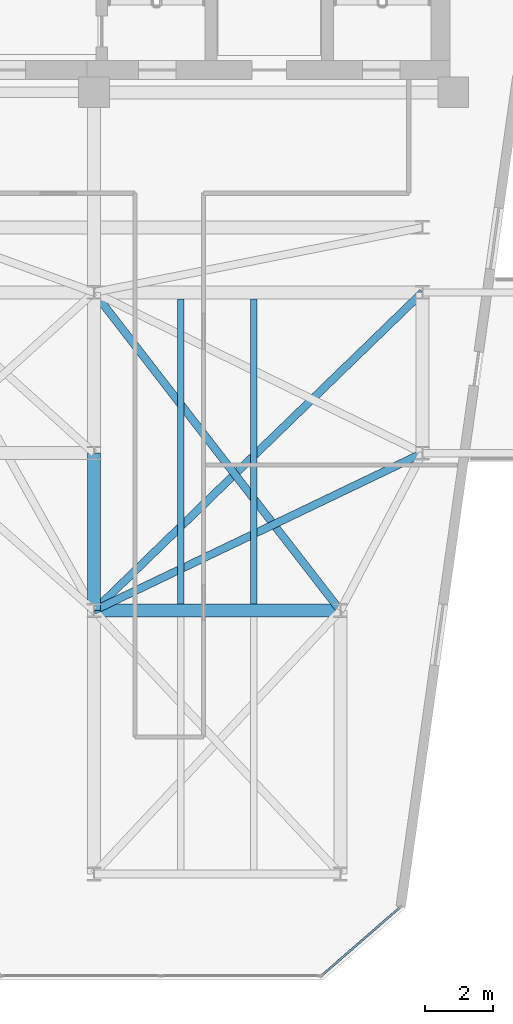
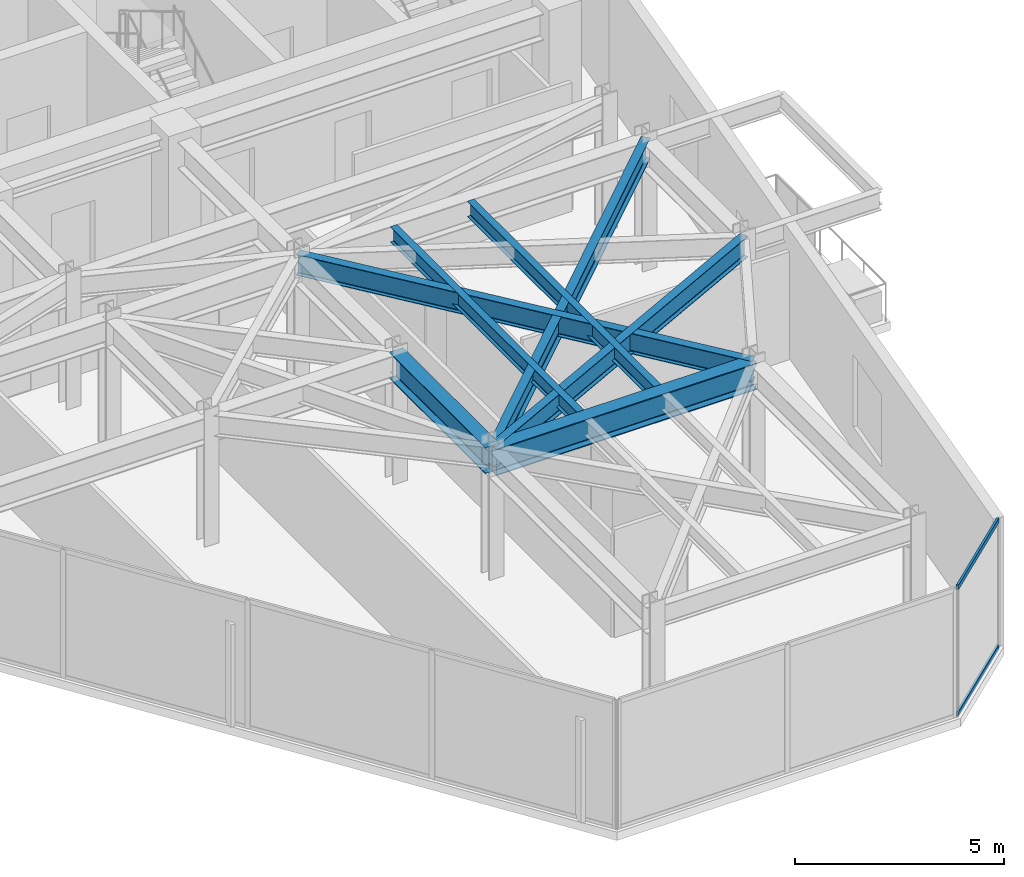
# One storey, part 13 of 21: 7 beams, 2 members, 1 element without a shape of its own.
"""IFC4 building model written with IfcOpenShell, lengths in metres."""

from ifc_helpers import new_model, si_unit, direction, frame, origin, origin_2d, place, context, subcontext, project, spatial, hollow_rectangle, i_section, extrude, material, layer, layer_set, material_profile, profile_set, type_object, element, aggregate, save


model = new_model("IFC4")

# Units and contexts
model_context = context("Model", 3, precision=1e-05, world=origin(), true_north=direction((0.0, 1.0)))
body_context = subcontext(model_context, "Body", "Model", "MODEL_VIEW")
ifc_project = project(units=[si_unit("LENGTHUNIT", "METRE"), si_unit("AREAUNIT", "SQUARE_METRE"), si_unit("VOLUMEUNIT", "CUBIC_METRE"), si_unit("PLANEANGLEUNIT", "RADIAN"), si_unit("MASSUNIT", "GRAM", prefix="KILO")], contexts=[model_context])

# Site, building, storey
site_placement = place(None, origin())
site = spatial("IfcSite", under=ifc_project, at=site_placement, CompositionType="ELEMENT")
building_placement = place(site_placement, origin())
building = spatial("IfcBuilding", under=site, at=building_placement, Name="Kravanh Interchange Tower", CompositionType="ELEMENT")
storey_placement = place(building_placement, frame((0.0, 0.0, 200.5)))
storey = spatial("IfcBuildingStorey", under=building, at=storey_placement, Name="L48", CompositionType="ELEMENT", Elevation=200.5)

# Curtain wall, members
ifc_material_1 = material(Name="Anodised Bronze Aluminium", Category="aluminium")
ifc_layer = layer(ifc_material_1, 0.179931640625)
ifc_layer_set = layer_set([ifc_layer], Name="Unitised Curtain Wall System CW-Z3 Upper Office")
curtain_wall_type = type_object("IfcCurtainWallType", Name="Unitised Curtain Wall System CW-Z3 Upper Office", PredefinedType="NOTDEFINED", material=ifc_layer_set)
curtain_wall_placement = place(storey_placement, origin())
curtain_wall = element("IfcCurtainWall", 1, at=curtain_wall_placement, inside=storey, type_object=curtain_wall_type, Name="L48 Unitised Curtain Wall CW-L48-01", PredefinedType="NOTDEFINED")
ifc_material_2 = material(Name="Anodised Bronze Aluminium", Category="aluminium")
ifc_material_profile_1 = material_profile(ifc_material_2, hollow_rectangle(XDim=0.06005859375, YDim=0.139892578125, WallThickness=0.00390625, at=origin_2d()), Name="ALU60X140X4")
ifc_profile_set_1 = profile_set([ifc_material_profile_1], Name="Anodised Bronze Aluminium")
member_type = type_object("IfcMemberType", Name="Curtain Wall Transom ALU60X140X4 Bronze", PredefinedType="USERDEFINED", material=ifc_profile_set_1)
member_1_placement = place(storey_placement, frame((64.92041015625, 13.501220703125, 0.030029296875), z_axis=(-0.754744002238, -0.656019428893, 0.0), x_axis=(0.656019428893, -0.754744002238, 0.0)))
member_1 = element("IfcMember", 2, at=member_1_placement, type_object=member_type, Name="CW-Z3 transom 1.1", ObjectType="TRANSOM", PredefinedType="USERDEFINED", context=body_context, shape_type="SweptSolid", body=[
    extrude(hollow_rectangle(XDim=0.06005859375, YDim=0.139892578125, WallThickness=0.00390625, at=origin_2d()), origin(), (0.0, 0.0, 1.0), 2.960205078125),
])
member_2_placement = place(storey_placement, frame((64.92041015625, 13.501220703125, 3.72509765625), z_axis=(-0.754744002238, -0.656019428893, 0.0), x_axis=(0.656019428893, -0.754744002238, 0.0)))
member_2 = element("IfcMember", 3, at=member_2_placement, type_object=member_type, Name="CW-Z3 transom 1.2", ObjectType="TRANSOM", PredefinedType="USERDEFINED", context=body_context, shape_type="SweptSolid", body=[
    extrude(hollow_rectangle(XDim=0.06005859375, YDim=0.139892578125, WallThickness=0.00390625, at=origin_2d()), origin(), (0.0, 0.0, 1.0), 2.960205078125),
])
aggregate(curtain_wall, [member_1, member_2])

# Beams
ifc_material_3 = material(Name="Structural Steel S355", Category="steel")
ifc_material_profile_2 = material_profile(ifc_material_3, i_section(OverallWidth=0.381103515625, OverallDepth=0.77294921875, WebThickness=0.0166015625, FlangeThickness=0.027099609375, FilletRadius=0.02490234375, at=origin_2d()), Name="W30X173")
ifc_profile_set_2 = profile_set([ifc_material_profile_2], Name="Structural Steel S355")
beam_type_1 = type_object("IfcBeamType", Name="Floor Beam W30X173 Structural Steel S355", PredefinedType="BEAM", material=ifc_profile_set_2)
beam_1_placement = place(storey_placement, frame((56.0, 26.800048828125, 3.368408203125), z_axis=(0.0, -1.0, 0.0), x_axis=(1.0, 0.0, 0.0)))
element("IfcBeam", 4, at=beam_1_placement, inside=storey, type_object=beam_type_1, Name="L48 Primary Floor Girder 53", PredefinedType="BEAM", context=body_context, shape_type="SweptSolid", body=[
    extrude(i_section(OverallWidth=0.381103515625, OverallDepth=0.77294921875, WebThickness=0.0166015625, FlangeThickness=0.027099609375, FilletRadius=0.02490234375, at=origin_2d()), origin(), (0.0, 0.0, 1.0), 4.60009765625),
])
beam_2_placement = place(storey_placement, frame((56.0, 22.199951171875, 3.368408203125), z_axis=(1.0, 0.0, 0.0), x_axis=(0.0, 1.0, 0.0)))
element("IfcBeam", 5, at=beam_2_placement, inside=storey, type_object=beam_type_1, Name="L48 Primary Floor Girder 92", PredefinedType="BEAM", context=body_context, shape_type="SweptSolid", body=[
    extrude(i_section(OverallWidth=0.381103515625, OverallDepth=0.77294921875, WebThickness=0.0166015625, FlangeThickness=0.027099609375, FilletRadius=0.02490234375, at=origin_2d()), origin(), (0.0, 0.0, 1.0), 7.199951171875),
])
ifc_material_4 = material(Name="Structural Steel S355", Category="steel")
ifc_material_profile_3 = material_profile(ifc_material_4, i_section(OverallWidth=0.18994140625, OverallDepth=0.45703125, WebThickness=0.009033203125, FlangeThickness=0.014404296875, FilletRadius=0.01806640625, at=origin_2d()), Name="W18X50")
ifc_profile_set_3 = profile_set([ifc_material_profile_3], Name="Structural Steel S355")
beam_type_2 = type_object("IfcBeamType", Name="Floor Joist W18X50 Structural Steel S355", PredefinedType="JOIST", material=ifc_profile_set_3)
for number, where, z_axis, x_axis, name in (
    (6, (58.5380859375, 22.385498046875, 3.526611328125), (0.0, 1.0, 0.0), (-1.0, 0.0, 0.0), "L48 Secondary Floor Joist 7"),
    (7, (60.662109375, 22.385498046875, 3.526611328125), (0.0, 1.0, 0.0), (-1.0, 0.0, 0.0), "L48 Secondary Floor Joist 8"),
):
    element("IfcBeam", number, at=place(storey_placement, frame(where, z_axis=z_axis, x_axis=x_axis)), inside=storey, type_object=beam_type_2, Name=name, PredefinedType="JOIST", context=body_context, shape_type="SweptSolid", body=[
        extrude(i_section(OverallWidth=0.18994140625, OverallDepth=0.45703125, WebThickness=0.009033203125, FlangeThickness=0.014404296875, FilletRadius=0.01806640625, at=origin_2d()), origin(), (0.0, 0.0, 1.0), 8.928955078125),
    ])
ifc_material_5 = material(Name="Structural Steel S355", Category="steel")
ifc_material_profile_4 = material_profile(ifc_material_5, i_section(OverallWidth=0.22802734375, OverallDepth=0.60791015625, WebThickness=0.01123046875, FlangeThickness=0.017333984375, FilletRadius=0.02197265625, at=origin_2d()), Name="W24X76")
ifc_profile_set_4 = profile_set([ifc_material_profile_4], Name="Structural Steel S355")
beam_type_3 = type_object("IfcBeamType", Name="Floor Spandrel W24X76 Structural Steel S355", PredefinedType="SPANDREL", material=ifc_profile_set_4)
beam_3_placement = place(storey_placement, frame((65.60009765625, 26.800048828125, 3.450927734375), z_axis=(-0.901814166789, -0.432124066188, 0.0), x_axis=(0.432124066188, -0.901814166789, 0.0)))
element("IfcBeam", 8, at=beam_3_placement, inside=storey, type_object=beam_type_3, Name="L48 Perimeter Spandrel 59", PredefinedType="SPANDREL", context=body_context, shape_type="SweptSolid", body=[
    extrude(i_section(OverallWidth=0.22802734375, OverallDepth=0.60791015625, WebThickness=0.01123046875, FlangeThickness=0.017333984375, FilletRadius=0.02197265625, at=origin_2d()), origin(), (0.0, 0.0, 1.0), 10.645263671875),
])
beam_4_placement = place(storey_placement, frame((56.0, 31.5, 3.450927734375), z_axis=(0.612168587637, -0.790727273028, 0.0), x_axis=(0.790727273028, 0.612168587637, 0.0)))
element("IfcBeam", 9, at=beam_4_placement, inside=storey, type_object=beam_type_3, Name="L48 Perimeter Spandrel 83", PredefinedType="SPANDREL", context=body_context, shape_type="SweptSolid", body=[
    extrude(i_section(OverallWidth=0.22802734375, OverallDepth=0.60791015625, WebThickness=0.01123046875, FlangeThickness=0.017333984375, FilletRadius=0.02197265625, at=origin_2d()), origin(), (0.0, 0.0, 1.0), 11.761474609375),
])
beam_5_placement = place(storey_placement, frame((65.60009765625, 31.5, 3.450927734375), z_axis=(-0.718241934329, -0.695793449072, 0.0), x_axis=(0.695793449072, -0.718241934329, 0.0)))
element("IfcBeam", 10, at=beam_5_placement, inside=storey, type_object=beam_type_3, Name="L48 Perimeter Spandrel 85", PredefinedType="SPANDREL", context=body_context, shape_type="SweptSolid", body=[
    extrude(i_section(OverallWidth=0.22802734375, OverallDepth=0.60791015625, WebThickness=0.01123046875, FlangeThickness=0.017333984375, FilletRadius=0.02197265625, at=origin_2d()), origin(), (0.0, 0.0, 1.0), 13.3662109375),
])

save(model, "model.ifc")
